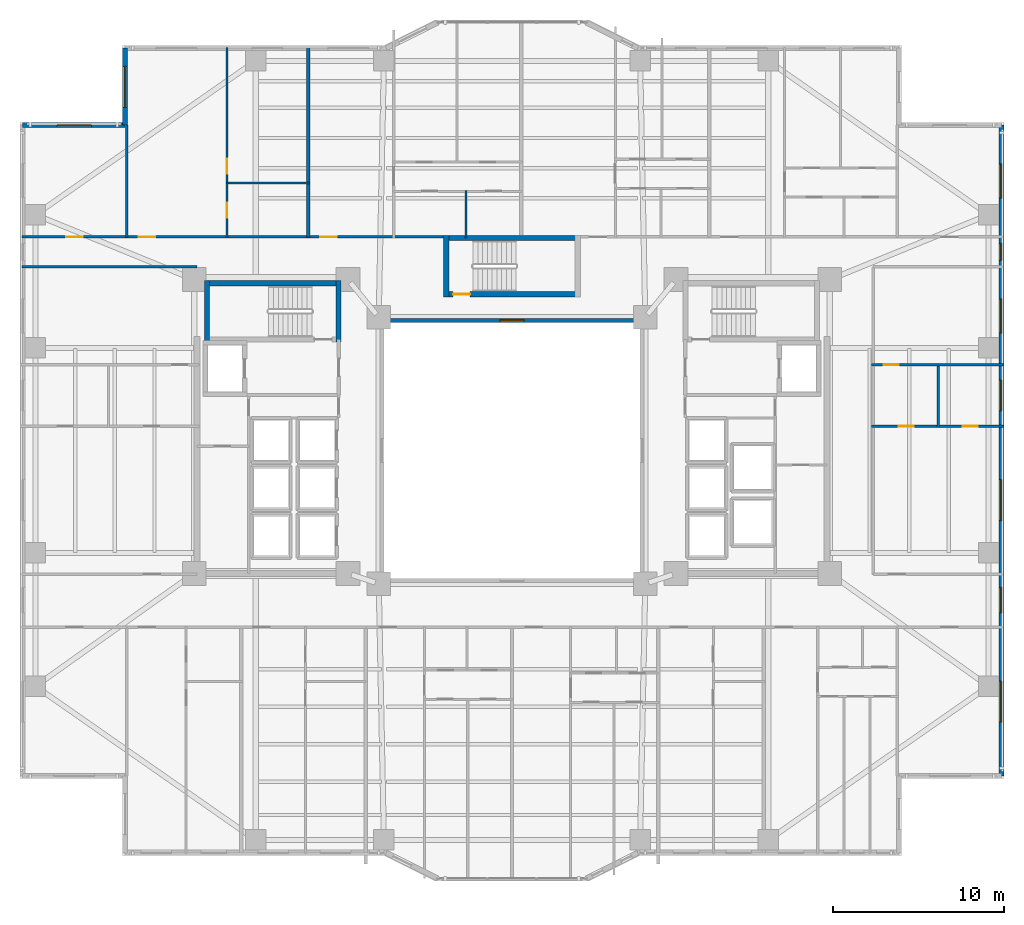
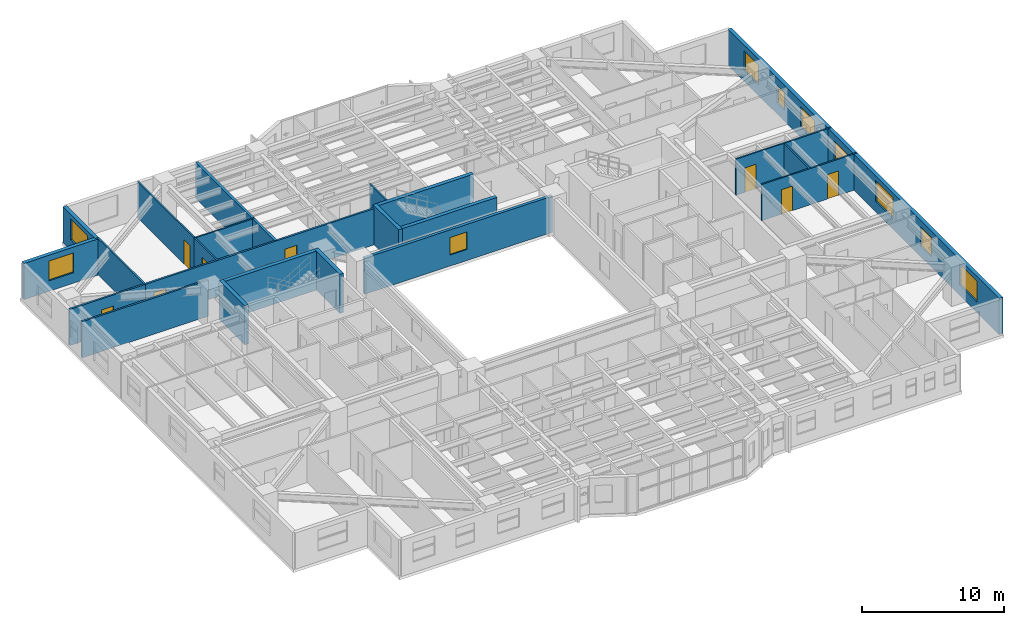
# One storey, part 14 of 21: 22 walls, 10 windows, 9 doors, 19 openings.
"""IFC4 building model written with IfcOpenShell, lengths in metres."""

from ifc_helpers import new_model, si_unit, direction, frame, frame_2d, origin, place, context, subcontext, project, spatial, rectangle, extrude, material, layer, layer_set, type_object, element, fill, save


model = new_model("IFC4")

# Units and contexts
model_context = context("Model", 3, precision=1e-05, world=origin(), true_north=direction((0.0, 1.0)))
body_context = subcontext(model_context, "Body", "Model", "MODEL_VIEW")
ifc_project = project(units=[si_unit("LENGTHUNIT", "METRE"), si_unit("AREAUNIT", "SQUARE_METRE"), si_unit("VOLUMEUNIT", "CUBIC_METRE"), si_unit("PLANEANGLEUNIT", "RADIAN"), si_unit("MASSUNIT", "GRAM", prefix="KILO")], contexts=[model_context])

# Site, building, storey
site_placement = place(None, origin())
site = spatial("IfcSite", under=ifc_project, at=site_placement, CompositionType="ELEMENT")
building_placement = place(site_placement, origin())
building = spatial("IfcBuilding", under=site, at=building_placement, Name="Tarnavaz Court Tower", CompositionType="ELEMENT")
storey_placement = place(building_placement, frame((0.0, 0.0, 24.0)))
storey = spatial("IfcBuildingStorey", under=building, at=storey_placement, Name="L05", CompositionType="ELEMENT", Elevation=24.0)

# Walls
ifc_material_1 = material(Name="Concrete C60/75", Category="concrete")
ifc_layer_1 = layer(ifc_material_1, 0.300048828125)
ifc_layer_set_1 = layer_set([ifc_layer_1], Name="Concrete C60/75")
wall_type_1 = type_object("IfcWallType", Name="WL-CORE-300-C60", PredefinedType="SHEAR", material=ifc_layer_set_1)
wall_1_placement = place(storey_placement, frame((-18.0, 9.7900390625, 0.0), z_axis=(0.0, 0.0, 1.0), x_axis=(1.0, 0.0, 0.0)))
element("IfcWall", 1, at=wall_1_placement, inside=storey, type_object=wall_type_1, Name="L05 West Stair Core Wall 001", PredefinedType="SHEAR", context=body_context, shape_type="SweptSolid", body=[
    extrude(rectangle(XDim=8.0, YDim=0.300048828125, at=frame_2d((4.0, 0.0))), origin(), (0.0, 0.0, 1.0), 3.35009765625),
])
for number, where, z_axis, x_axis, name in (
    (2, (-17.85009765625, 6.35009765625, 0.0), (0.0, 0.0, 1.0), (0.0, 1.0, 0.0), "L05 West Stair Core Wall 003"),
    (3, (-10.14990234375, 6.35009765625, 0.0), (0.0, 0.0, 1.0), (0.0, 1.0, 0.0), "L05 West Stair Core Wall 004"),
):
    element("IfcWall", number, at=place(storey_placement, frame(where, z_axis=z_axis, x_axis=x_axis)), inside=storey, type_object=wall_type_1, Name=name, PredefinedType="SHEAR", context=body_context, shape_type="SweptSolid", body=[
        extrude(rectangle(XDim=3.58984375, YDim=0.300048828125, at=frame_2d((1.794921875, 0.0))), origin(), (0.0, 0.0, 1.0), 3.35009765625),
    ])
wall_2_placement = place(storey_placement, frame((-4.0, 12.43994140625, 0.0), z_axis=(0.0, 0.0, 1.0), x_axis=(1.0, 0.0, 0.0)))
element("IfcWall", 4, at=wall_2_placement, inside=storey, type_object=wall_type_1, Name="L05 North Stair Core Wall 009", PredefinedType="SHEAR", context=body_context, shape_type="SweptSolid", body=[
    extrude(rectangle(XDim=8.0, YDim=0.300048828125, at=frame_2d((4.0, 0.0))), origin(), (0.0, 0.0, 1.0), 3.35009765625),
])

# Wall, opening, door
wall_3_placement = place(storey_placement, frame((-4.0, 9.14990234375, 0.0), z_axis=(0.0, 0.0, 1.0), x_axis=(1.0, 0.0, 0.0)))
wall_3 = element("IfcWall", 5, at=wall_3_placement, inside=storey, type_object=wall_type_1, Name="L05 North Stair Core Wall 010", PredefinedType="SHEAR", context=body_context, shape_type="SweptSolid", body=[
    extrude(rectangle(XDim=8.0, YDim=0.300048828125, at=frame_2d((4.0, 0.0))), origin(), (0.0, 0.0, 1.0), 3.35009765625),
])
opening_1_placement = place(wall_3_placement, frame((0.550048828125, 0.0, 0.0)))
opening_1 = element("IfcOpeningElement", 6, at=opening_1_placement, cuts=wall_3, Name="Opening D01", PredefinedType="OPENING", context=body_context, shape_type="SweptSolid", body=[
    extrude(rectangle(XDim=1.0, YDim=2.14990234375, at=frame_2d((0.5, 1.074951171875))), frame((0.0, 0.159912109375, 0.0), z_axis=(0.0, -1.0, 0.0), x_axis=(1.0, 0.0, 0.0)), (0.0, 0.0, 1.0), 0.320068359375),
])
ifc_material_2 = material(Name="Fire-Rated Hardwood Timber Core", Category="wood")
door_type_1 = type_object("IfcDoorType", Name="DR-FD90-1000", OperationType="NOTDEFINED", PredefinedType="DOOR", material=ifc_material_2)
door_1_placement = place(opening_1_placement, origin())
door_1 = element("IfcDoor", 7, at=door_1_placement, inside=storey, type_object=door_type_1, Name="L05 Stair ST-N1 Exit Door", OperationType="SINGLE_SWING_LEFT", OverallHeight=2.14990234375, OverallWidth=1.0, PredefinedType="DOOR", context=body_context, shape_type="SweptSolid", body=[
    extrude(rectangle(XDim=1.0, YDim=2.14990234375, at=frame_2d((0.5, 1.074951171875))), frame((0.0, 0.02490234375, 0.0), z_axis=(0.0, -1.0, 0.0), x_axis=(1.0, 0.0, 0.0)), (0.0, 0.0, 1.0), 0.050048828125),
])
fill(opening_1, door_1)

# Wall
wall_4_placement = place(storey_placement, frame((-3.85009765625, 9.0, 0.0), z_axis=(0.0, 0.0, 1.0), x_axis=(0.0, 1.0, 0.0)))
element("IfcWall", 8, at=wall_4_placement, inside=storey, type_object=wall_type_1, Name="L05 North Stair Core Wall 011", PredefinedType="SHEAR", context=body_context, shape_type="SweptSolid", body=[
    extrude(rectangle(XDim=3.590087890625, YDim=0.300048828125, at=frame_2d((1.794921875, 0.0))), origin(), (0.0, 0.0, 1.0), 3.35009765625),
])

# Wall, opening, window
ifc_material_3 = material(Name="Precast Concrete C40/50", Category="concrete")
ifc_layer_2 = layer(ifc_material_3, 0.300048828125)
ifc_layer_set_2 = layer_set([ifc_layer_2], Name="Precast Concrete C40/50")
wall_type_2 = type_object("IfcWallType", Name="WL-EXT-300", PredefinedType="SOLIDWALL", material=ifc_layer_set_2)
wall_5_placement = place(storey_placement, frame((-28.64990234375, 19.050048828125, 0.0), z_axis=(0.0, 0.0, 1.0), x_axis=(1.0, 0.0, 0.0)))
wall_5 = element("IfcWall", 9, at=wall_5_placement, inside=storey, type_object=wall_type_2, Name="L05 Exterior Terracotta Facade Wall 03", PredefinedType="SOLIDWALL", context=body_context, shape_type="SweptSolid", body=[
    extrude(rectangle(XDim=6.0, YDim=0.300048828125, at=frame_2d((3.0, 0.0))), origin(), (0.0, 0.0, 1.0), 3.10009765625),
])
opening_2_placement = place(wall_5_placement, frame((2.02490234375, 0.0, 0.89990234375)))
opening_2 = element("IfcOpeningElement", 10, at=opening_2_placement, cuts=wall_5, Name="Opening W08", PredefinedType="OPENING", context=body_context, shape_type="SweptSolid", body=[
    extrude(rectangle(XDim=2.0, YDim=1.699951171875, at=frame_2d((1.0, 0.85009765625))), frame((0.0, 0.159912109375, 0.0), z_axis=(0.0, -1.0, 0.0), x_axis=(1.0, 0.0, 0.0)), (0.0, 0.0, 1.0), 0.320068359375),
])
ifc_material_4 = material(Name="Double-Glazed Solar Low-E Glass", Category="glass")
window_type_1 = type_object("IfcWindowType", Name="WN-APT-2000", PartitioningType="DOUBLE_PANEL_VERTICAL", PredefinedType="WINDOW", material=ifc_material_4)
window_1_placement = place(opening_2_placement, origin())
window_1 = element("IfcWindow", 11, at=window_1_placement, inside=storey, type_object=window_type_1, Name="L05 North-West Corner Sunroom Study Window", OverallHeight=1.699951171875, OverallWidth=2.0, PartitioningType="SINGLE_PANEL", PredefinedType="WINDOW", context=body_context, shape_type="SweptSolid", body=[
    extrude(rectangle(XDim=2.0, YDim=1.699951171875, at=frame_2d((1.0, 0.85009765625))), frame((0.0, 0.030029296875, 0.0), z_axis=(0.0, -1.0, 0.0), x_axis=(1.0, 0.0, 0.0)), (0.0, 0.0, 1.0), 0.06005859375),
])
fill(opening_2, window_1)

wall_6_placement = place(storey_placement, frame((-22.64990234375, 19.050048828125, 0.0), z_axis=(0.0, 0.0, 1.0), x_axis=(0.0, 1.0, 0.0)))
wall_6 = element("IfcWall", 12, at=wall_6_placement, inside=storey, type_object=wall_type_2, Name="L05 Exterior Terracotta Facade Wall 04", PredefinedType="SOLIDWALL", context=body_context, shape_type="SweptSolid", body=[
    extrude(rectangle(XDim=4.5, YDim=0.300048828125, at=frame_2d((2.25, 0.0))), origin(), (0.0, 0.0, 1.0), 3.10009765625),
])
opening_3_placement = place(wall_6_placement, frame((1.032470703125, 0.0, 0.89990234375)))
opening_3 = element("IfcOpeningElement", 13, at=opening_3_placement, cuts=wall_6, Name="Opening W06", PredefinedType="OPENING", context=body_context, shape_type="SweptSolid", body=[
    extrude(rectangle(XDim=2.39990234375, YDim=1.800048828125, at=frame_2d((1.199951171875, 0.89990234375))), frame((0.0, 0.159912109375, 0.0), z_axis=(0.0, -1.0, 0.0), x_axis=(1.0, 0.0, 0.0)), (0.0, 0.0, 1.0), 0.320068359375),
])
window_type_2 = type_object("IfcWindowType", Name="WN-APT-2400", PartitioningType="TRIPLE_PANEL_VERTICAL", PredefinedType="WINDOW", material=ifc_material_4)
window_2_placement = place(opening_3_placement, origin())
window_2 = element("IfcWindow", 14, at=window_2_placement, inside=storey, type_object=window_type_2, Name="L05 Flat 01 Studio Living and Sleeping Room Window", OverallHeight=1.800048828125, OverallWidth=2.39990234375, PartitioningType="SINGLE_PANEL", PredefinedType="WINDOW", context=body_context, shape_type="SweptSolid", body=[
    extrude(rectangle(XDim=2.39990234375, YDim=1.800048828125, at=frame_2d((1.199951171875, 0.89990234375))), frame((0.0, 0.030029296875, 0.0), z_axis=(0.0, -1.0, 0.0), x_axis=(1.0, 0.0, 0.0)), (0.0, 0.0, 1.0), 0.06005859375),
])
fill(opening_3, window_2)

# Wall, openings, windows
wall_7_placement = place(storey_placement, frame((28.64990234375, 19.050048828125, 0.0), z_axis=(0.0, 0.0, 1.0), x_axis=(0.0, -1.0, 0.0)))
wall_7 = element("IfcWall", 15, at=wall_7_placement, inside=storey, type_object=wall_type_2, Name="L05 Exterior Terracotta Facade Wall 12", PredefinedType="SOLIDWALL", context=body_context, shape_type="SweptSolid", body=[
    extrude(rectangle(XDim=38.10009765625, YDim=0.300048828125, at=frame_2d((19.050048828125, 0.0))), origin(), (0.0, 0.0, 1.0), 3.10009765625),
])
opening_4_placement = place(wall_7_placement, frame((2.27490234375, 0.0, 0.89990234375)))
opening_4 = element("IfcOpeningElement", 16, at=opening_4_placement, cuts=wall_7, Name="Opening W08", PredefinedType="OPENING", context=body_context, shape_type="SweptSolid", body=[
    extrude(rectangle(XDim=2.0, YDim=1.699951171875, at=frame_2d((1.0, 0.85009765625))), frame((0.0, 0.159912109375, 0.0), z_axis=(0.0, -1.0, 0.0), x_axis=(1.0, 0.0, 0.0)), (0.0, 0.0, 1.0), 0.320068359375),
])
opening_5_placement = place(wall_7_placement, frame((6.925048828125, 0.0, 0.949951171875)))
opening_5 = element("IfcOpeningElement", 17, at=opening_5_placement, cuts=wall_7, Name="Opening W14", PredefinedType="OPENING", context=body_context, shape_type="SweptSolid", body=[
    extrude(rectangle(XDim=1.0, YDim=1.5, at=frame_2d((0.5, 0.75))), frame((0.0, 0.159912109375, 0.0), z_axis=(0.0, -1.0, 0.0), x_axis=(1.0, 0.0, 0.0)), (0.0, 0.0, 1.0), 0.320068359375),
])
opening_6_placement = place(wall_7_placement, frame((10.175048828125, 0.0, 0.89990234375)))
opening_6 = element("IfcOpeningElement", 18, at=opening_6_placement, cuts=wall_7, Name="Opening W08", PredefinedType="OPENING", context=body_context, shape_type="SweptSolid", body=[
    extrude(rectangle(XDim=2.0, YDim=1.699951171875, at=frame_2d((1.0, 0.85009765625))), frame((0.0, 0.159912109375, 0.0), z_axis=(0.0, -1.0, 0.0), x_axis=(1.0, 0.0, 0.0)), (0.0, 0.0, 1.0), 0.320068359375),
])
opening_7_placement = place(wall_7_placement, frame((14.925048828125, 0.0, 0.89990234375)))
opening_7 = element("IfcOpeningElement", 19, at=opening_7_placement, cuts=wall_7, Name="Opening W01", PredefinedType="OPENING", context=body_context, shape_type="SweptSolid", body=[
    extrude(rectangle(XDim=1.800048828125, YDim=1.64990234375, at=frame_2d((0.89990234375, 0.824951171875))), frame((0.0, 0.159912109375, 0.0), z_axis=(0.0, -1.0, 0.0), x_axis=(1.0, 0.0, 0.0)), (0.0, 0.0, 1.0), 0.320068359375),
])
opening_8_placement = place(wall_7_placement, frame((20.75, 0.0, 0.89990234375)))
opening_8 = element("IfcOpeningElement", 20, at=opening_8_placement, cuts=wall_7, Name="Opening W06", PredefinedType="OPENING", context=body_context, shape_type="SweptSolid", body=[
    extrude(rectangle(XDim=2.39990234375, YDim=1.800048828125, at=frame_2d((1.199951171875, 0.89990234375))), frame((0.0, 0.159912109375, 0.0), z_axis=(0.0, -1.0, 0.0), x_axis=(1.0, 0.0, 0.0)), (0.0, 0.0, 1.0), 0.320068359375),
])
opening_9_placement = place(wall_7_placement, frame((27.0576171875, 0.0, 0.89990234375)))
opening_9 = element("IfcOpeningElement", 21, at=opening_9_placement, cuts=wall_7, Name="Opening W03", PredefinedType="OPENING", context=body_context, shape_type="SweptSolid", body=[
    extrude(rectangle(XDim=1.5, YDim=1.64990234375, at=frame_2d((0.75, 0.824951171875))), frame((0.0, 0.159912109375, 0.0), z_axis=(0.0, -1.0, 0.0), x_axis=(1.0, 0.0, 0.0)), (0.0, 0.0, 1.0), 0.320068359375),
])
opening_10_placement = place(wall_7_placement, frame((32.550048828125, 0.0, 0.89990234375)))
opening_10 = element("IfcOpeningElement", 22, at=opening_10_placement, cuts=wall_7, Name="Opening W06", PredefinedType="OPENING", context=body_context, shape_type="SweptSolid", body=[
    extrude(rectangle(XDim=2.39990234375, YDim=1.800048828125, at=frame_2d((1.199951171875, 0.89990234375))), frame((0.0, 0.159912109375, 0.0), z_axis=(0.0, -1.0, 0.0), x_axis=(1.0, 0.0, 0.0)), (0.0, 0.0, 1.0), 0.320068359375),
])
window_type_3 = type_object("IfcWindowType", Name="WN-APT-1000", PartitioningType="SINGLE_PANEL", PredefinedType="WINDOW", material=ifc_material_4)
window_3_placement = place(opening_5_placement, origin())
window_3 = element("IfcWindow", 23, at=window_3_placement, inside=storey, type_object=window_type_3, Name="L05 North-East Corner Corridor Window", OverallHeight=1.5, OverallWidth=1.0, PartitioningType="SINGLE_PANEL", PredefinedType="WINDOW", context=body_context, shape_type="SweptSolid", body=[
    extrude(rectangle(XDim=1.0, YDim=1.5, at=frame_2d((0.5, 0.75))), frame((0.0, 0.030029296875, 0.0), z_axis=(0.0, -1.0, 0.0), x_axis=(1.0, 0.0, 0.0)), (0.0, 0.0, 1.0), 0.06005859375),
])
fill(opening_5, window_3)
window_type_4 = type_object("IfcWindowType", Name="WN-APT-1500", PartitioningType="DOUBLE_PANEL_VERTICAL", PredefinedType="WINDOW", material=ifc_material_4)
window_4_placement = place(opening_9_placement, origin())
window_4 = element("IfcWindow", 24, at=window_4_placement, inside=storey, type_object=window_type_4, Name="L05 South-East Corner Corridor Window", OverallHeight=1.64990234375, OverallWidth=1.5, PartitioningType="SINGLE_PANEL", PredefinedType="WINDOW", context=body_context, shape_type="SweptSolid", body=[
    extrude(rectangle(XDim=1.5, YDim=1.64990234375, at=frame_2d((0.75, 0.824951171875))), frame((0.0, 0.030029296875, 0.0), z_axis=(0.0, -1.0, 0.0), x_axis=(1.0, 0.0, 0.0)), (0.0, 0.0, 1.0), 0.06005859375),
])
fill(opening_9, window_4)
window_type_5 = type_object("IfcWindowType", Name="WN-APT-1800", PartitioningType="DOUBLE_PANEL_VERTICAL", PredefinedType="WINDOW", material=ifc_material_4)
window_5_placement = place(opening_7_placement, origin())
window_5 = element("IfcWindow", 25, at=window_5_placement, inside=storey, type_object=window_type_5, Name="L05 Flat 12 Bathroom Window", OverallHeight=1.64990234375, OverallWidth=1.800048828125, PartitioningType="SINGLE_PANEL", PredefinedType="WINDOW", context=body_context, shape_type="SweptSolid", body=[
    extrude(rectangle(XDim=1.800048828125, YDim=1.64990234375, at=frame_2d((0.89990234375, 0.824951171875))), frame((0.0, 0.030029296875, 0.0), z_axis=(0.0, -1.0, 0.0), x_axis=(1.0, 0.0, 0.0)), (0.0, 0.0, 1.0), 0.06005859375),
])
fill(opening_7, window_5)
window_6_placement = place(opening_4_placement, origin())
window_6 = element("IfcWindow", 26, at=window_6_placement, inside=storey, type_object=window_type_1, Name="L05 North-East Corner Sunroom Study Window", OverallHeight=1.699951171875, OverallWidth=2.0, PartitioningType="SINGLE_PANEL", PredefinedType="WINDOW", context=body_context, shape_type="SweptSolid", body=[
    extrude(rectangle(XDim=2.0, YDim=1.699951171875, at=frame_2d((1.0, 0.85009765625))), frame((0.0, 0.030029296875, 0.0), z_axis=(0.0, -1.0, 0.0), x_axis=(1.0, 0.0, 0.0)), (0.0, 0.0, 1.0), 0.06005859375),
])
fill(opening_4, window_6)
window_7_placement = place(opening_6_placement, origin())
window_7 = element("IfcWindow", 27, at=window_7_placement, inside=storey, type_object=window_type_1, Name="L05 Flat 12 Study Room Window", OverallHeight=1.699951171875, OverallWidth=2.0, PartitioningType="SINGLE_PANEL", PredefinedType="WINDOW", context=body_context, shape_type="SweptSolid", body=[
    extrude(rectangle(XDim=2.0, YDim=1.699951171875, at=frame_2d((1.0, 0.85009765625))), frame((0.0, 0.030029296875, 0.0), z_axis=(0.0, -1.0, 0.0), x_axis=(1.0, 0.0, 0.0)), (0.0, 0.0, 1.0), 0.06005859375),
])
fill(opening_6, window_7)
window_8_placement = place(opening_8_placement, origin())
window_8 = element("IfcWindow", 28, at=window_8_placement, inside=storey, type_object=window_type_2, Name="L05 Flat 12 Studio Living and Sleeping Room Window", OverallHeight=1.800048828125, OverallWidth=2.39990234375, PartitioningType="SINGLE_PANEL", PredefinedType="WINDOW", context=body_context, shape_type="SweptSolid", body=[
    extrude(rectangle(XDim=2.39990234375, YDim=1.800048828125, at=frame_2d((1.199951171875, 0.89990234375))), frame((0.0, 0.030029296875, 0.0), z_axis=(0.0, -1.0, 0.0), x_axis=(1.0, 0.0, 0.0)), (0.0, 0.0, 1.0), 0.06005859375),
])
fill(opening_8, window_8)
window_9_placement = place(opening_10_placement, origin())
window_9 = element("IfcWindow", 29, at=window_9_placement, inside=storey, type_object=window_type_2, Name="L05 South-East Corner Reading Room Window", OverallHeight=1.800048828125, OverallWidth=2.39990234375, PartitioningType="SINGLE_PANEL", PredefinedType="WINDOW", context=body_context, shape_type="SweptSolid", body=[
    extrude(rectangle(XDim=2.39990234375, YDim=1.800048828125, at=frame_2d((1.199951171875, 0.89990234375))), frame((0.0, 0.030029296875, 0.0), z_axis=(0.0, -1.0, 0.0), x_axis=(1.0, 0.0, 0.0)), (0.0, 0.0, 1.0), 0.06005859375),
])
fill(opening_10, window_9)

# Wall, openings, doors
ifc_material_5 = material(Name="Gypsum Fire-Board on Acoustic Metal Stud", Category="masonry")
ifc_layer_3 = layer(ifc_material_5, 0.14990234375)
ifc_layer_set_3 = layer_set([ifc_layer_3], Name="Gypsum Fire-Board on Acoustic Metal Stud")
wall_type_3 = type_object("IfcWallType", Name="WL-FIRE-150", PredefinedType="PARTITIONING", material=ifc_layer_set_3)
wall_8_placement = place(storey_placement, frame((-22.550048828125, 12.5, 0.0), z_axis=(0.0, 0.0, 1.0), x_axis=(1.0, 0.0, 0.0)))
wall_8 = element("IfcWall", 30, at=wall_8_placement, inside=storey, type_object=wall_type_3, Name="L05 NW Wing Corridor Wall 081", PredefinedType="PARTITIONING", context=body_context, shape_type="SweptSolid", body=[
    extrude(rectangle(XDim=18.699951171875, YDim=0.14990234375, at=frame_2d((9.35009765625, 0.0))), origin(), (0.0, 0.0, 1.0), 3.10009765625),
])
opening_11_placement = place(wall_8_placement, frame((0.699951171875, 0.0, 0.0)))
opening_11 = element("IfcOpeningElement", 31, at=opening_11_placement, cuts=wall_8, Name="Opening D06", PredefinedType="OPENING", context=body_context, shape_type="SweptSolid", body=[
    extrude(rectangle(XDim=0.9599609375, YDim=2.14990234375, at=frame_2d((0.47998046875, 1.074951171875))), frame((0.0, 0.0849609375, 0.0), z_axis=(0.0, -1.0, 0.0), x_axis=(1.0, 0.0, 0.0)), (0.0, 0.0, 1.0), 0.169921875),
])
opening_12_placement = place(wall_8_placement, frame((11.325927734375, 0.0, 0.0)))
opening_12 = element("IfcOpeningElement", 32, at=opening_12_placement, cuts=wall_8, Name="Opening D06", PredefinedType="OPENING", context=body_context, shape_type="SweptSolid", body=[
    extrude(rectangle(XDim=0.9599609375, YDim=2.14990234375, at=frame_2d((0.47998046875, 1.074951171875))), frame((0.0, 0.0849609375, 0.0), z_axis=(0.0, -1.0, 0.0), x_axis=(1.0, 0.0, 0.0)), (0.0, 0.0, 1.0), 0.169921875),
])
door_type_2 = type_object("IfcDoorType", Name="DR-FD60-950", OperationType="NOTDEFINED", PredefinedType="DOOR", material=ifc_material_2)
door_2_placement = place(opening_11_placement, origin())
door_2 = element("IfcDoor", 33, at=door_2_placement, inside=storey, type_object=door_type_2, Name="L05 Flat 01 Entrance Door", OperationType="SINGLE_SWING_LEFT", OverallHeight=2.14990234375, OverallWidth=0.9599609375, PredefinedType="DOOR", context=body_context, shape_type="SweptSolid", body=[
    extrude(rectangle(XDim=0.9599609375, YDim=2.14990234375, at=frame_2d((0.47998046875, 1.074951171875))), frame((0.0, 0.02490234375, 0.0), z_axis=(0.0, -1.0, 0.0), x_axis=(1.0, 0.0, 0.0)), (0.0, 0.0, 1.0), 0.050048828125),
])
fill(opening_11, door_2)
door_3_placement = place(opening_12_placement, origin())
door_3 = element("IfcDoor", 34, at=door_3_placement, inside=storey, type_object=door_type_2, Name="L05 Flat 02 Entrance Door", OperationType="SINGLE_SWING_RIGHT", OverallHeight=2.14990234375, OverallWidth=0.9599609375, PredefinedType="DOOR", context=body_context, shape_type="SweptSolid", body=[
    extrude(rectangle(XDim=0.9599609375, YDim=2.14990234375, at=frame_2d((0.47998046875, 1.074951171875))), frame((0.0, 0.02490234375, 0.0), z_axis=(0.0, -1.0, 0.0), x_axis=(1.0, 0.0, 0.0)), (0.0, 0.0, 1.0), 0.050048828125),
])
fill(opening_12, door_3)

# Wall
wall_9_placement = place(storey_placement, frame((-28.679931640625, 10.75, 0.0), z_axis=(0.0, 0.0, 1.0), x_axis=(1.0, 0.0, 0.0)))
element("IfcWall", 35, at=wall_9_placement, inside=storey, type_object=wall_type_3, Name="L05 Interior Partition 145", PredefinedType="PARTITIONING", context=body_context, shape_type="SweptSolid", body=[
    extrude(rectangle(XDim=10.22998046875, YDim=0.14990234375, at=frame_2d((5.114990234375, 0.0))), origin(), (0.0, 0.0, 1.0), 3.10009765625),
])

# Wall, opening, door
wall_10_placement = place(storey_placement, frame((-28.679931640625, 12.5, 0.0), z_axis=(0.0, 0.0, 1.0), x_axis=(1.0, 0.0, 0.0)))
wall_10 = element("IfcWall", 36, at=wall_10_placement, inside=storey, type_object=wall_type_3, Name="L05 Interior Partition 152", PredefinedType="PARTITIONING", context=body_context, shape_type="SweptSolid", body=[
    extrude(rectangle(XDim=6.1298828125, YDim=0.14990234375, at=frame_2d((3.06494140625, 0.0))), origin(), (0.0, 0.0, 1.0), 3.10009765625),
])
opening_13_placement = place(wall_10_placement, frame((2.590087890625, 0.0, 0.0)))
opening_13 = element("IfcOpeningElement", 37, at=opening_13_placement, cuts=wall_10, Name="Opening D13", PredefinedType="OPENING", context=body_context, shape_type="SweptSolid", body=[
    extrude(rectangle(XDim=0.949951171875, YDim=2.14990234375, at=frame_2d((0.47509765625, 1.074951171875))), frame((0.0, 0.0849609375, 0.0), z_axis=(0.0, -1.0, 0.0), x_axis=(1.0, 0.0, 0.0)), (0.0, 0.0, 1.0), 0.169921875),
])
ifc_material_6 = material(Name="Engineered Oak Timber", Category="wood")
door_type_3 = type_object("IfcDoorType", Name="DR-INT-950", OperationType="NOTDEFINED", PredefinedType="DOOR", material=ifc_material_6)
door_4_placement = place(opening_13_placement, origin())
door_4 = element("IfcDoor", 38, at=door_4_placement, inside=storey, type_object=door_type_3, Name="L05 NW Sunroom Door", OperationType="SINGLE_SWING_RIGHT", OverallHeight=2.14990234375, OverallWidth=0.949951171875, PredefinedType="DOOR", context=body_context, shape_type="SweptSolid", body=[
    extrude(rectangle(XDim=0.949951171875, YDim=2.14990234375, at=frame_2d((0.47509765625, 1.074951171875))), frame((0.0, 0.02490234375, 0.0), z_axis=(0.0, -1.0, 0.0), x_axis=(1.0, 0.0, 0.0)), (0.0, 0.0, 1.0), 0.050048828125),
])
fill(opening_13, door_4)

# Wall
ifc_material_7 = material(Name="Autoclaved Aerated Concrete Blockwork", Category="masonry")
ifc_layer_4 = layer(ifc_material_7, 0.199951171875)
ifc_layer_set_4 = layer_set([ifc_layer_4], Name="Autoclaved Aerated Concrete Blockwork")
wall_type_4 = type_object("IfcWallType", Name="WL-FIRE-200", PredefinedType="SOLIDWALL", material=ifc_layer_set_4)
wall_11_placement = place(storey_placement, frame((-11.924072265625, 12.5, 0.0), z_axis=(0.0, 0.0, 1.0), x_axis=(0.0, 1.0, 0.0)))
element("IfcWall", 39, at=wall_11_placement, inside=storey, type_object=wall_type_4, Name="L05 Party Wall 088", PredefinedType="SOLIDWALL", context=body_context, shape_type="SweptSolid", body=[
    extrude(rectangle(XDim=11.10009765625, YDim=0.199951171875, at=frame_2d((5.550048828125, 0.0))), origin(), (0.0, 0.0, 1.0), 3.10009765625),
])

# Wall, opening, door
ifc_material_8 = material(Name="Moisture-Resistant Gypsum Board Partition", Category="masonry")
ifc_layer_5 = layer(ifc_material_8, 0.1201171875)
ifc_layer_set_5 = layer_set([ifc_layer_5], Name="Moisture-Resistant Gypsum Board Partition")
wall_type_5 = type_object("IfcWallType", Name="WL-PART-120", PredefinedType="PARTITIONING", material=ifc_layer_set_5)
wall_12_placement = place(storey_placement, frame((-16.68408203125, 12.43994140625, 0.0), z_axis=(0.0, 0.0, 1.0), x_axis=(0.0, 1.0, 0.0)))
wall_12 = element("IfcWall", 40, at=wall_12_placement, inside=storey, type_object=wall_type_5, Name="L05 Interior Partition 089", PredefinedType="PARTITIONING", context=body_context, shape_type="SweptSolid", body=[
    extrude(rectangle(XDim=3.2099609375, YDim=0.1201171875, at=frame_2d((1.60498046875, 0.0))), origin(), (0.0, 0.0, 1.0), 3.10009765625),
])
opening_14_placement = place(wall_12_placement, frame((1.195068359375, 0.0, 0.0)))
opening_14 = element("IfcOpeningElement", 41, at=opening_14_placement, cuts=wall_12, Name="Opening D14", PredefinedType="OPENING", context=body_context, shape_type="SweptSolid", body=[
    extrude(rectangle(XDim=0.8798828125, YDim=2.10009765625, at=frame_2d((0.43994140625, 1.050048828125))), frame((0.0, 0.070068359375, 0.0), z_axis=(0.0, -1.0, 0.0), x_axis=(1.0, 0.0, 0.0)), (0.0, 0.0, 1.0), 0.14013671875),
])
door_type_4 = type_object("IfcDoorType", Name="DR-INT-900", OperationType="NOTDEFINED", PredefinedType="DOOR", material=ifc_material_6)
door_5_placement = place(opening_14_placement, origin())
door_5 = element("IfcDoor", 42, at=door_5_placement, inside=storey, type_object=door_type_4, Name="L05 Flat 01 Bathroom Door", OperationType="SINGLE_SWING_RIGHT", OverallHeight=2.10009765625, OverallWidth=0.8798828125, PredefinedType="DOOR", context=body_context, shape_type="SweptSolid", body=[
    extrude(rectangle(XDim=0.8798828125, YDim=2.10009765625, at=frame_2d((0.43994140625, 1.050048828125))), frame((0.0, 0.02490234375, 0.0), z_axis=(0.0, -1.0, 0.0), x_axis=(1.0, 0.0, 0.0)), (0.0, 0.0, 1.0), 0.050048828125),
])
fill(opening_14, door_5)

wall_13_placement = place(storey_placement, frame((-16.68408203125, 15.64990234375, 0.0), z_axis=(0.0, 0.0, 1.0), x_axis=(0.0, 1.0, 0.0)))
wall_13 = element("IfcWall", 43, at=wall_13_placement, inside=storey, type_object=wall_type_5, Name="L05 Interior Partition 090", PredefinedType="PARTITIONING", context=body_context, shape_type="SweptSolid", body=[
    extrude(rectangle(XDim=7.9501953125, YDim=0.1201171875, at=frame_2d((3.97509765625, 0.0))), origin(), (0.0, 0.0, 1.0), 3.10009765625),
])
opening_15_placement = place(wall_13_placement, frame((0.550048828125, 0.0, 0.0)))
opening_15 = element("IfcOpeningElement", 44, at=opening_15_placement, cuts=wall_13, Name="Opening D14", PredefinedType="OPENING", context=body_context, shape_type="SweptSolid", body=[
    extrude(rectangle(XDim=0.8798828125, YDim=2.10009765625, at=frame_2d((0.43994140625, 1.050048828125))), frame((0.0, 0.070068359375, 0.0), z_axis=(0.0, -1.0, 0.0), x_axis=(1.0, 0.0, 0.0)), (0.0, 0.0, 1.0), 0.14013671875),
])
door_6_placement = place(opening_15_placement, origin())
door_6 = element("IfcDoor", 45, at=door_6_placement, inside=storey, type_object=door_type_4, Name="L05 Flat 01 Kitchen Door", OperationType="SINGLE_SWING_LEFT", OverallHeight=2.10009765625, OverallWidth=0.8798828125, PredefinedType="DOOR", context=body_context, shape_type="SweptSolid", body=[
    extrude(rectangle(XDim=0.8798828125, YDim=2.10009765625, at=frame_2d((0.43994140625, 1.050048828125))), frame((0.0, 0.02490234375, 0.0), z_axis=(0.0, -1.0, 0.0), x_axis=(1.0, 0.0, 0.0)), (0.0, 0.0, 1.0), 0.050048828125),
])
fill(opening_15, door_6)

# Walls
wall_14_placement = place(storey_placement, frame((-16.743896484375, 15.64990234375, 0.0), z_axis=(0.0, 0.0, 1.0), x_axis=(1.0, 0.0, 0.0)))
element("IfcWall", 46, at=wall_14_placement, inside=storey, type_object=wall_type_5, Name="L05 Interior Partition 091", PredefinedType="PARTITIONING", context=body_context, shape_type="SweptSolid", body=[
    extrude(rectangle(XDim=4.8798828125, YDim=0.1201171875, at=frame_2d((2.43994140625, 0.0))), origin(), (0.0, 0.0, 1.0), 3.10009765625),
])
wall_15_placement = place(storey_placement, frame((-2.697021484375, 12.43994140625, 0.0), z_axis=(0.0, 0.0, 1.0), x_axis=(0.0, 1.0, 0.0)))
element("IfcWall", 47, at=wall_15_placement, inside=storey, type_object=wall_type_5, Name="L05 Interior Partition 096", PredefinedType="PARTITIONING", context=body_context, shape_type="SweptSolid", body=[
    extrude(rectangle(XDim=2.7900390625, YDim=0.1201171875, at=frame_2d((1.39501953125, 0.0))), origin(), (0.0, 0.0, 1.0), 3.10009765625),
])

# Wall, openings, doors
wall_16_placement = place(storey_placement, frame((21.030029296875, 1.419921875, 0.0), z_axis=(0.0, 0.0, 1.0), x_axis=(1.0, 0.0, 0.0)))
wall_16 = element("IfcWall", 48, at=wall_16_placement, inside=storey, type_object=wall_type_5, Name="L05 Interior Partition 159", PredefinedType="PARTITIONING", context=body_context, shape_type="SweptSolid", body=[
    extrude(rectangle(XDim=7.77001953125, YDim=0.1201171875, at=frame_2d((3.885009765625, 0.0))), origin(), (0.0, 0.0, 1.0), 3.10009765625),
])
opening_16_placement = place(wall_16_placement, frame((1.614990234375, 0.0, 0.0)))
opening_16 = element("IfcOpeningElement", 49, at=opening_16_placement, cuts=wall_16, Name="Opening D14", PredefinedType="OPENING", context=body_context, shape_type="SweptSolid", body=[
    extrude(rectangle(XDim=0.8798828125, YDim=2.10009765625, at=frame_2d((0.43994140625, 1.050048828125))), frame((0.0, 0.070068359375, 0.0), z_axis=(0.0, -1.0, 0.0), x_axis=(1.0, 0.0, 0.0)), (0.0, 0.0, 1.0), 0.14013671875),
])
opening_17_placement = place(wall_16_placement, frame((5.344970703125, 0.0, 0.0)))
opening_17 = element("IfcOpeningElement", 50, at=opening_17_placement, cuts=wall_16, Name="Opening D14", PredefinedType="OPENING", context=body_context, shape_type="SweptSolid", body=[
    extrude(rectangle(XDim=0.8798828125, YDim=2.10009765625, at=frame_2d((0.43994140625, 1.050048828125))), frame((0.0, 0.070068359375, 0.0), z_axis=(0.0, -1.0, 0.0), x_axis=(1.0, 0.0, 0.0)), (0.0, 0.0, 1.0), 0.14013671875),
])
door_7_placement = place(opening_16_placement, origin())
door_7 = element("IfcDoor", 51, at=door_7_placement, inside=storey, type_object=door_type_4, Name="L05 Flat 12 Kitchen Door", OperationType="SINGLE_SWING_LEFT", OverallHeight=2.10009765625, OverallWidth=0.8798828125, PredefinedType="DOOR", context=body_context, shape_type="SweptSolid", body=[
    extrude(rectangle(XDim=0.8798828125, YDim=2.10009765625, at=frame_2d((0.43994140625, 1.050048828125))), frame((0.0, 0.02490234375, 0.0), z_axis=(0.0, -1.0, 0.0), x_axis=(1.0, 0.0, 0.0)), (0.0, 0.0, 1.0), 0.050048828125),
])
fill(opening_16, door_7)
door_8_placement = place(opening_17_placement, origin())
door_8 = element("IfcDoor", 52, at=door_8_placement, inside=storey, type_object=door_type_4, Name="L05 Flat 12 Bathroom Door", OperationType="SINGLE_SWING_RIGHT", OverallHeight=2.10009765625, OverallWidth=0.8798828125, PredefinedType="DOOR", context=body_context, shape_type="SweptSolid", body=[
    extrude(rectangle(XDim=0.8798828125, YDim=2.10009765625, at=frame_2d((0.43994140625, 1.050048828125))), frame((0.0, 0.02490234375, 0.0), z_axis=(0.0, -1.0, 0.0), x_axis=(1.0, 0.0, 0.0)), (0.0, 0.0, 1.0), 0.050048828125),
])
fill(opening_17, door_8)

# Wall, opening, door
wall_17_placement = place(storey_placement, frame((21.030029296875, 5.02001953125, 0.0), z_axis=(0.0, 0.0, 1.0), x_axis=(1.0, 0.0, 0.0)))
wall_17 = element("IfcWall", 53, at=wall_17_placement, inside=storey, type_object=wall_type_5, Name="L05 Interior Partition 160", PredefinedType="PARTITIONING", context=body_context, shape_type="SweptSolid", body=[
    extrude(rectangle(XDim=7.77001953125, YDim=0.1201171875, at=frame_2d((3.885009765625, 0.0))), origin(), (0.0, 0.0, 1.0), 3.10009765625),
])
opening_18_placement = place(wall_17_placement, frame((0.739990234375, 0.0, 0.0)))
opening_18 = element("IfcOpeningElement", 54, at=opening_18_placement, cuts=wall_17, Name="Opening D14", PredefinedType="OPENING", context=body_context, shape_type="SweptSolid", body=[
    extrude(rectangle(XDim=0.8798828125, YDim=2.10009765625, at=frame_2d((0.43994140625, 1.050048828125))), frame((0.0, 0.070068359375, 0.0), z_axis=(0.0, -1.0, 0.0), x_axis=(1.0, 0.0, 0.0)), (0.0, 0.0, 1.0), 0.14013671875),
])
door_9_placement = place(opening_18_placement, origin())
door_9 = element("IfcDoor", 55, at=door_9_placement, inside=storey, type_object=door_type_4, Name="L05 Flat 12 Study Door", OperationType="SINGLE_SWING_LEFT", OverallHeight=2.10009765625, OverallWidth=0.8798828125, PredefinedType="DOOR", context=body_context, shape_type="SweptSolid", body=[
    extrude(rectangle(XDim=0.8798828125, YDim=2.10009765625, at=frame_2d((0.43994140625, 1.050048828125))), frame((0.0, 0.02490234375, 0.0), z_axis=(0.0, -1.0, 0.0), x_axis=(1.0, 0.0, 0.0)), (0.0, 0.0, 1.0), 0.050048828125),
])
fill(opening_18, door_9)

# Walls
wall_18_placement = place(storey_placement, frame((24.949951171875, 1.360107421875, 0.0), z_axis=(0.0, 0.0, 1.0), x_axis=(0.0, 1.0, 0.0)))
element("IfcWall", 56, at=wall_18_placement, inside=storey, type_object=wall_type_5, Name="L05 Interior Partition 161", PredefinedType="PARTITIONING", context=body_context, shape_type="SweptSolid", body=[
    extrude(rectangle(XDim=3.579833984375, YDim=0.1201171875, at=frame_2d((1.7900390625, 0.0))), origin(), (0.0, 0.0, 1.0), 3.10009765625),
])
ifc_material_9 = material(Name="Gypsum Plasterboard Acoustic Partition", Category="masonry")
ifc_layer_6 = layer(ifc_material_9, 0.139892578125)
ifc_layer_set_6 = layer_set([ifc_layer_6], Name="Gypsum Plasterboard Acoustic Partition")
wall_type_6 = type_object("IfcWallType", Name="WL-PART-150", PredefinedType="PARTITIONING", material=ifc_layer_set_6)
wall_19_placement = place(storey_placement, frame((-22.550048828125, 12.5, 0.0), z_axis=(0.0, 0.0, 1.0), x_axis=(0.0, 1.0, 0.0)))
element("IfcWall", 57, at=wall_19_placement, inside=storey, type_object=wall_type_6, Name="L05 Interior Partition 150", PredefinedType="PARTITIONING", context=body_context, shape_type="SweptSolid", body=[
    extrude(rectangle(XDim=6.550048828125, YDim=0.139892578125, at=frame_2d((3.27490234375, 0.0))), origin(), (0.0, 0.0, 1.0), 3.10009765625),
])

# Wall, opening, window
ifc_layer_7 = layer(ifc_material_3, 0.239990234375)
ifc_layer_set_7 = layer_set([ifc_layer_7], Name="Precast Concrete C40/50")
wall_type_7 = type_object("IfcWallType", Name="WL-WELL-240", PredefinedType="SOLIDWALL", material=ifc_layer_set_7)
wall_20_placement = place(storey_placement, frame((7.6201171875, 7.6201171875, 0.0), z_axis=(0.0, 0.0, 1.0), x_axis=(-1.0, 0.0, 0.0)))
wall_20 = element("IfcWall", 58, at=wall_20_placement, inside=storey, type_object=wall_type_7, Name="L05 Badgir Light-Well Exterior Wall N", PredefinedType="SOLIDWALL", context=body_context, shape_type="SweptSolid", body=[
    extrude(rectangle(XDim=15.240234375, YDim=0.239990234375, at=frame_2d((7.6201171875, 0.0))), origin(), (0.0, 0.0, 1.0), 3.10009765625),
])
opening_19_placement = place(wall_20_placement, frame((6.919921875, 0.0, 0.949951171875)))
opening_19 = element("IfcOpeningElement", 59, at=opening_19_placement, cuts=wall_20, Name="Opening W13", PredefinedType="OPENING", context=body_context, shape_type="SweptSolid", body=[
    extrude(rectangle(XDim=1.39990234375, YDim=1.5, at=frame_2d((0.699951171875, 0.75))), frame((0.0, 0.1298828125, 0.0), z_axis=(0.0, -1.0, 0.0), x_axis=(1.0, 0.0, 0.0)), (0.0, 0.0, 1.0), 0.260009765625),
])
window_type_6 = type_object("IfcWindowType", Name="WN-WEL-1400", PartitioningType="SINGLE_PANEL", PredefinedType="WINDOW", material=ifc_material_4)
window_10_placement = place(opening_19_placement, origin())
window_10 = element("IfcWindow", 60, at=window_10_placement, inside=storey, type_object=window_type_6, Name="L05 Courtyard Gallery Window N", OverallHeight=1.5, OverallWidth=1.39990234375, PartitioningType="SINGLE_PANEL", PredefinedType="WINDOW", context=body_context, shape_type="SweptSolid", body=[
    extrude(rectangle(XDim=1.39990234375, YDim=1.5, at=frame_2d((0.699951171875, 0.75))), frame((0.0, 0.030029296875, 0.0), z_axis=(0.0, -1.0, 0.0), x_axis=(1.0, 0.0, 0.0)), (0.0, 0.0, 1.0), 0.06005859375),
])
fill(opening_19, window_10)

save(model, "model.ifc")
